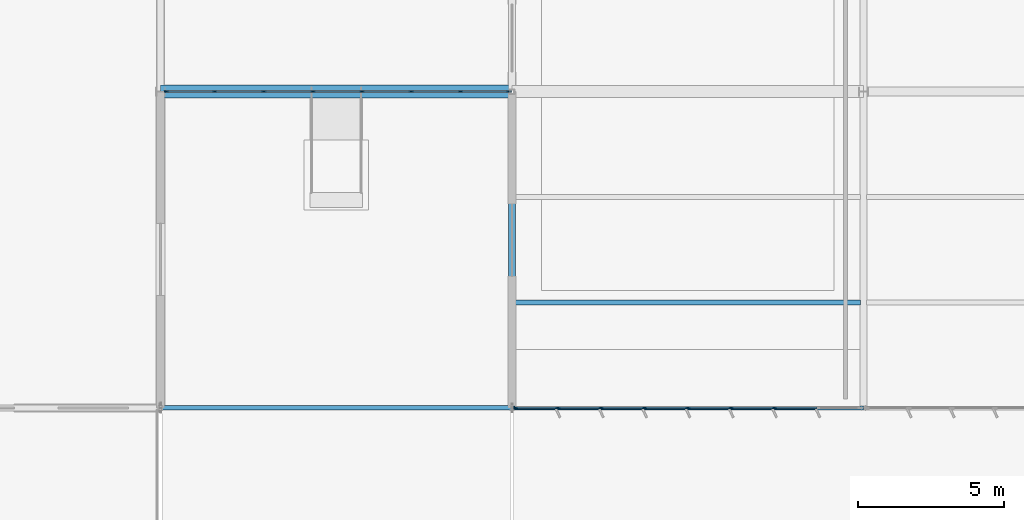
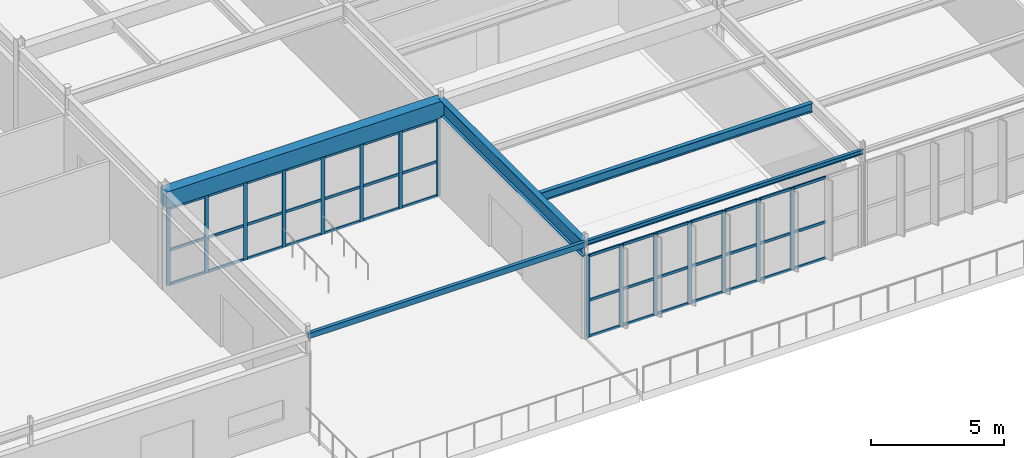
# One storey, part 88 of 199: 57 members, 5 beams, 2 elements without a shape of their own.
"""IFC4 building model written with IfcOpenShell, lengths in metres."""

import ifcopenshell
import ifcopenshell.guid

model = None  # the IFC model being written
_history = None  # IfcOwnerHistory: only IFC2X3 demands one
_inside = {}  # id of a spatial element -> (the spatial element, [elements in it])
_under = {}  # id of a project, library or spatial element -> (it, [spatial elements below it])
_declared = {}  # id of a project -> (the project, [libraries it declares])
_typed = {}  # id of a type object -> (the type object, [elements of that type])
_made_of = {}  # id of a material, layer set ... -> (it, [elements and type objects made of it])


def new_model(schema):
    """Start an empty IFC model of exactly this schema.

    Asked for "IFC4X3", IfcOpenShell would pick the latest addendum, in which some entities
    have other attributes; the version numbers below select the first issue.
    IFC2X3 requires an IfcOwnerHistory on every rooted entity: one is made here for all.
    """
    global model, _history
    if schema == "IFC4X3":
        model = ifcopenshell.file(schema_version=(4, 3, 0, 0))
    else:
        model = ifcopenshell.file(schema=schema)
    _inside.clear()
    _under.clear()
    _declared.clear()
    _typed.clear()
    _made_of.clear()
    _history = None
    if model.schema == "IFC2X3":
        org = make("IfcOrganization", Name="unknown")
        user = make(
            "IfcPersonAndOrganization",
            ThePerson=make("IfcPerson", FamilyName="unknown"),
            TheOrganization=org,
        )
        app = make(
            "IfcApplication",
            ApplicationDeveloper=org,
            Version="unknown",
            ApplicationFullName="unknown",
            ApplicationIdentifier="unknown",
        )
        _history = make(
            "IfcOwnerHistory",
            OwningUser=user,
            OwningApplication=app,
            ChangeAction="ADDED",
            CreationDate=0,
        )
    return model


def make(cls, **values):
    """One entity of the class cls with the attributes given. An attribute that is None is left unset."""
    return model.create_entity(
        cls, **{name: value for name, value in values.items() if value is not None}
    )


def rooted(cls, **values):
    """An entity with a GlobalId (a new one), such as an element, a storey or a relation."""
    return make(cls, GlobalId=ifcopenshell.guid.new(), OwnerHistory=_history, **values)


def si_unit(unit_type, name, prefix=None):
    """IfcSIUnit, for example si_unit("LENGTHUNIT", "METRE", prefix="MILLI")."""
    return make("IfcSIUnit", UnitType=unit_type, Prefix=prefix, Name=name)


def assignment(units):
    """IfcUnitAssignment: the units of a project."""
    return None if units is None else make("IfcUnitAssignment", Units=units)


def point(xyz):
    """IfcCartesianPoint."""
    return None if xyz is None else make("IfcCartesianPoint", Coordinates=xyz)


def direction(xyz):
    """IfcDirection."""
    return None if xyz is None else make("IfcDirection", DirectionRatios=xyz)


def frame(location, z_axis=None, x_axis=None):
    """IfcAxis2Placement3D, a coordinate frame: its origin and axes. An axis left out is left unset."""
    return make(
        "IfcAxis2Placement3D",
        Location=point(location),
        Axis=direction(z_axis),
        RefDirection=direction(x_axis),
    )


def frame_2d(location, x_axis=None):
    """IfcAxis2Placement2D, a coordinate frame in the plane: its origin and x axis."""
    return make(
        "IfcAxis2Placement2D", Location=point(location), RefDirection=direction(x_axis)
    )


def origin():
    """The frame at (0, 0, 0) with its axes left unset."""
    return frame((0.0, 0.0, 0.0))


def origin_2d():
    """The frame at (0, 0) in the plane with its x axis left unset."""
    return frame_2d((0.0, 0.0))


def place(relative_to, where):
    """IfcLocalPlacement: puts the frame where relative to a parent placement (None: the world)."""
    return make(
        "IfcLocalPlacement", PlacementRelTo=relative_to, RelativePlacement=where
    )


def context(
    kind, dimensions, precision=None, world=None, true_north=None, identifier=None
):
    """IfcGeometricRepresentationContext, for example the 3D "Model" context."""
    return make(
        "IfcGeometricRepresentationContext",
        ContextIdentifier=identifier,
        ContextType=kind,
        CoordinateSpaceDimension=dimensions,
        Precision=precision,
        WorldCoordinateSystem=world,
        TrueNorth=true_north,
    )


def subcontext(parent, identifier, kind, view, scale=None):
    """IfcGeometricRepresentationSubContext, for example "Body" below "Model"."""
    return make(
        "IfcGeometricRepresentationSubContext",
        ContextIdentifier=identifier,
        ContextType=kind,
        ParentContext=parent,
        TargetScale=scale,
        TargetView=view,
    )


def project(units=None, contexts=None):
    """IfcProject with its units and contexts."""
    return rooted(
        "IfcProject",
        Name="project",
        RepresentationContexts=contexts,
        UnitsInContext=assignment(units),
    )


def spatial(cls, under=None, at=None, **own):
    """A site, building, storey or space (cls), placed at a placement, below another one or the project."""
    s = rooted(cls, ObjectPlacement=at, **own)
    if under is not None:
        _under.setdefault(under.id(), (under, []))[1].append(s)
    return s


def profile(cls, at=None, kind="AREA", **sizes):
    """A parametric profile (cls). Its sizes go by their IFC names, for example OverallWidth=200.0."""
    return make(cls, ProfileType=kind, Position=at, **sizes)


def rectangle(**sizes):
    """IfcRectangleProfileDef."""
    return profile("IfcRectangleProfileDef", **sizes)


def hollow_rectangle(**sizes):
    """IfcRectangleHollowProfileDef."""
    return profile("IfcRectangleHollowProfileDef", **sizes)


def i_section(**sizes):
    """IfcIShapeProfileDef."""
    return profile("IfcIShapeProfileDef", **sizes)


def extrude(swept, where, along, depth):
    """IfcExtrudedAreaSolid: the profile swept, set in the frame where, extruded along a direction by depth."""
    return make(
        "IfcExtrudedAreaSolid",
        SweptArea=swept,
        Position=where,
        ExtrudedDirection=direction(along),
        Depth=depth,
    )


def shape(context_of_items, identifier, shape_type, items):
    """IfcShapeRepresentation: the items that make up one representation, for example the "Body"."""
    return make(
        "IfcShapeRepresentation",
        ContextOfItems=context_of_items,
        RepresentationIdentifier=identifier,
        RepresentationType=shape_type,
        Items=items,
    )


def material(Name=None, Category=None):
    """IfcMaterial."""
    return make("IfcMaterial", Name=Name, Category=Category)


def layer(
    of_material, thickness, ventilated=None, Name=None, Category=None, Priority=None
):
    """IfcMaterialLayer: one layer of a wall or slab, of a material (None: an air gap)."""
    return make(
        "IfcMaterialLayer",
        Material=of_material,
        LayerThickness=thickness,
        IsVentilated=ventilated,
        Name=Name,
        Category=Category,
        Priority=Priority,
    )


def layer_set(layers, Name=None):
    """IfcMaterialLayerSet."""
    return make("IfcMaterialLayerSet", MaterialLayers=layers, LayerSetName=Name)


def material_profile(
    of_material, cross_section, Name=None, Category=None, Priority=None
):
    """IfcMaterialProfile: a cross section and its material."""
    return make(
        "IfcMaterialProfile",
        Name=Name,
        Material=of_material,
        Profile=cross_section,
        Priority=Priority,
        Category=Category,
    )


def profile_set(profiles, Name=None, composite=None):
    """IfcMaterialProfileSet."""
    return make(
        "IfcMaterialProfileSet",
        Name=Name,
        MaterialProfiles=profiles,
        CompositeProfile=composite,
    )


def made_of(thing, what):
    """Note that an element or type object is made of a material, layer set ...; save() writes the relation."""
    if what is not None:
        _made_of.setdefault(what.id(), (what, []))[1].append(thing)
    return thing


def type_object(cls, material=None, **own):
    """A type object (cls), such as IfcWallType, which elements share."""
    return made_of(rooted(cls, **own), material)


def element(
    cls,
    number,
    at=None,
    inside=None,
    cuts=None,
    type_object=None,
    material=None,
    context=None,
    identifier="Body",
    shape_type=None,
    held_by="IfcProductDefinitionShape",
    body=None,
    shapes=None,
    **own,
):
    """One element of the class cls, such as IfcWall. Its Tag is "e" and its number.

    at: its placement. inside: the storey or other place that contains it. cuts: it is an
    opening in that element (IfcRelVoidsElement). A single representation is given by context,
    identifier, shape_type and body (its items); several are given by shapes. held_by: the class
    of the entity that holds the representations. save() writes the other relations.
    """
    e = rooted(cls, Tag="e%d" % number, ObjectPlacement=at, **own)
    if body is not None:
        shapes = [shape(context, identifier, shape_type, body)]
    if shapes is not None:
        e.Representation = make(held_by, Representations=shapes)
    if inside is not None:
        _inside.setdefault(inside.id(), (inside, []))[1].append(e)
    if cuts is not None:
        rooted(
            "IfcRelVoidsElement", RelatingBuildingElement=cuts, RelatedOpeningElement=e
        )
    if type_object is not None:
        _typed.setdefault(type_object.id(), (type_object, []))[1].append(e)
    return made_of(e, material)


def aggregate(whole, parts):
    """IfcRelAggregates: a whole, such as a stair, and the parts it consists of."""
    return rooted("IfcRelAggregates", RelatingObject=whole, RelatedObjects=parts)


def save(model, path):
    """Write the relations noted so far, then the file.

    IfcRelAggregates (storeys below a building ...), IfcRelContainedInSpatialStructure (elements
    in a storey), IfcRelDefinesByType, IfcRelAssociatesMaterial and IfcRelDeclares: one each for
    every whole, place, type object, material and project.
    """
    for whole, parts in _under.values():
        aggregate(whole, parts)
    for where, things in _inside.values():
        rooted(
            "IfcRelContainedInSpatialStructure",
            RelatedElements=things,
            RelatingStructure=where,
        )
    for kind, things in _typed.values():
        rooted("IfcRelDefinesByType", RelatedObjects=things, RelatingType=kind)
    for what, things in _made_of.values():
        rooted("IfcRelAssociatesMaterial", RelatedObjects=things, RelatingMaterial=what)
    for by, libraries in _declared.values():
        rooted("IfcRelDeclares", RelatingContext=by, RelatedDefinitions=libraries)
    model.write(path)


model = new_model("IFC4")

# Units and contexts
model_context = context("Model", 3, precision=1e-05, world=origin(), true_north=direction((0.0, 1.0)))
body_context = subcontext(model_context, "Body", "Model", "MODEL_VIEW")
ifc_project = project(units=[si_unit("LENGTHUNIT", "METRE"), si_unit("AREAUNIT", "SQUARE_METRE"), si_unit("VOLUMEUNIT", "CUBIC_METRE"), si_unit("PLANEANGLEUNIT", "RADIAN"), si_unit("MASSUNIT", "GRAM", prefix="KILO")], contexts=[model_context])

# Site, building, storey
site_placement = place(None, origin())
site = spatial("IfcSite", under=ifc_project, at=site_placement, CompositionType="ELEMENT")
building_placement = place(site_placement, origin())
building = spatial("IfcBuilding", under=site, at=building_placement, Name="Tarnwether General Hospital", CompositionType="ELEMENT")
storey_placement = place(building_placement, origin())
storey = spatial("IfcBuildingStorey", under=building, at=storey_placement, Name="L00", CompositionType="ELEMENT", Elevation=0.0)

# Beams
ifc_material_1 = material(Name="Steel Grade 350 (350 MPa)", Category="steel")
ifc_material_profile_1 = material_profile(ifc_material_1, i_section(OverallWidth=0.25, OverallDepth=0.69189453125, WebThickness=0.009033203125, FlangeThickness=0.01611328125, at=origin_2d()), Name="700WB115")
ifc_profile_set_1 = profile_set([ifc_material_profile_1], Name="Steel Grade 350 (350 MPa)")
beam_type_1 = type_object("IfcBeamType", Name="BM-G02", PredefinedType="BEAM", material=ifc_profile_set_1)
beam_1_placement = place(storey_placement, frame((144.0, 0.0, 4.09912109375), z_axis=(0.0, 1.0, 0.0), x_axis=(-1.0, 0.0, 0.0)))
element("IfcBeam", 1, at=beam_1_placement, inside=storey, type_object=beam_type_1, Name="Primary Girder BMG-L00-14400_0-14400_1080-0785", PredefinedType="BEAM", context=body_context, shape_type="SweptSolid", body=[
    extrude(i_section(OverallWidth=0.25, OverallDepth=0.69189453125, WebThickness=0.009033203125, FlangeThickness=0.01611328125, at=origin_2d()), origin(), (0.0, 0.0, 1.0), 10.800048828125),
])
ifc_material_2 = material(Name="Concrete 40 MPa", Category="concrete")
ifc_material_profile_2 = material_profile(ifc_material_2, rectangle(XDim=0.449951171875, YDim=0.75, at=origin_2d()), Name="RC-BM-450x750")
ifc_profile_set_2 = profile_set([ifc_material_profile_2], Name="Concrete 40 MPa")
beam_type_2 = type_object("IfcBeamType", Name="BM-G13", PredefinedType="BEAM", material=ifc_profile_set_2)
beam_2_placement = place(storey_placement, frame((132.0, 10.800048828125, 4.070068359375), z_axis=(1.0, 0.0, 0.0), x_axis=(0.0, 1.0, 0.0)))
element("IfcBeam", 2, at=beam_2_placement, inside=storey, type_object=beam_type_2, Name="Primary Girder BMG-L00-13200_1080-14400_1080-0768", PredefinedType="BEAM", context=body_context, shape_type="SweptSolid", body=[
    extrude(rectangle(XDim=0.449951171875, YDim=0.75, at=origin_2d()), origin(), (0.0, 0.0, 1.0), 12.0),
])
ifc_material_3 = material(Name="Steel Grade 350 (350 MPa)", Category="steel")
ifc_material_profile_3 = material_profile(ifc_material_3, i_section(OverallWidth=0.177978515625, OverallDepth=0.403076171875, WebThickness=0.007568359375, FlangeThickness=0.010986328125, at=origin_2d()), Name="410UB53.7")
ifc_profile_set_3 = profile_set([ifc_material_profile_3], Name="Steel Grade 350 (350 MPa)")
beam_type_3 = type_object("IfcBeamType", Name="BM-J02", PredefinedType="JOIST", material=ifc_profile_set_3)
beam_3_placement = place(storey_placement, frame((144.118896484375, 3.60009765625, 4.243408203125), z_axis=(1.0, 0.0, 0.0), x_axis=(0.0, 1.0, 0.0)))
element("IfcBeam", 3, at=beam_3_placement, inside=storey, type_object=beam_type_3, Name="Composite Floor Joist BMG-L00-14412_360-15589_360-0997", PredefinedType="JOIST", context=body_context, shape_type="SweptSolid", body=[
    extrude(i_section(OverallWidth=0.177978515625, OverallDepth=0.403076171875, WebThickness=0.007568359375, FlangeThickness=0.010986328125, at=origin_2d()), origin(), (0.0, 0.0, 1.0), 11.773193359375),
])
ifc_material_4 = material(Name="Steel Grade C350L0 (350 MPa)", Category="steel")
ifc_material_profile_4 = material_profile(ifc_material_4, hollow_rectangle(XDim=0.14990234375, YDim=0.25, WallThickness=0.010009765625, at=origin_2d()), Name="RHS250x150x10")
ifc_profile_set_4 = profile_set([ifc_material_profile_4], Name="Steel Grade C350L0 (350 MPa)")
beam_type_4 = type_object("IfcBeamType", Name="BM-SP4", PredefinedType="SPANDREL", material=ifc_profile_set_4)
beam_4_placement = place(storey_placement, frame((132.0, 0.0, 4.320068359375), z_axis=(1.0, 0.0, 0.0), x_axis=(0.0, 1.0, 0.0)))
element("IfcBeam", 4, at=beam_4_placement, inside=storey, type_object=beam_type_4, Name="Primary Girder BMG-L00-13200_0-14400_0-0766", PredefinedType="SPANDREL", context=body_context, shape_type="SweptSolid", body=[
    extrude(hollow_rectangle(XDim=0.14990234375, YDim=0.25, WallThickness=0.010009765625, at=origin_2d()), origin(), (0.0, 0.0, 1.0), 12.0),
])
ifc_material_5 = material(Name="Steel Grade 350 (350 MPa)", Category="steel")
ifc_material_profile_5 = material_profile(ifc_material_5, i_section(OverallWidth=0.133056640625, OverallDepth=0.202880859375, WebThickness=0.005859375, FlangeThickness=0.0078125, at=origin_2d()), Name="200UB25.4")
ifc_profile_set_5 = profile_set([ifc_material_profile_5], Name="Steel Grade 350 (350 MPa)")
beam_type_5 = type_object("IfcBeamType", Name="BM-SP5", PredefinedType="SPANDREL", material=ifc_profile_set_5)
beam_5_placement = place(storey_placement, frame((144.0, 0.0, 4.343505859375), z_axis=(1.0, 0.0, 0.0), x_axis=(0.0, 1.0, 0.0)))
element("IfcBeam", 5, at=beam_5_placement, inside=storey, type_object=beam_type_5, Name="Primary Girder BMG-L00-14400_0-15600_0-0784", PredefinedType="SPANDREL", context=body_context, shape_type="SweptSolid", body=[
    extrude(i_section(OverallWidth=0.133056640625, OverallDepth=0.202880859375, WebThickness=0.005859375, FlangeThickness=0.0078125, at=origin_2d()), origin(), (0.0, 0.0, 1.0), 12.0),
])

# Curtain wall, members
ifc_material_6 = material(Name="Anodised aluminium", Category="aluminium")
ifc_layer_1 = layer(ifc_material_6, 0.159912109375)
ifc_layer_set_1 = layer_set([ifc_layer_1], Name="Anodised aluminium")
curtain_wall_type_1 = type_object("IfcCurtainWallType", Name="CW-18", PredefinedType="NOTDEFINED", material=ifc_layer_set_1)
curtain_wall_1_placement = place(storey_placement, origin())
curtain_wall_1 = element("IfcCurtainWall", 6, at=curtain_wall_1_placement, inside=storey, type_object=curtain_wall_type_1, Name="Curtain Wall CWG-L00-1559_0-0285", PredefinedType="NOTDEFINED")
ifc_material_7 = material(Name="Anodised aluminium", Category="aluminium")
ifc_material_profile_6 = material_profile(ifc_material_7, rectangle(XDim=0.06005859375, YDim=0.159912109375, at=origin_2d()), Name="ALU-MUL-60x160")
ifc_profile_set_6 = profile_set([ifc_material_profile_6], Name="Anodised aluminium")
member_type_1 = type_object("IfcMemberType", Name="CW-ML1", PredefinedType="MULLION", material=ifc_profile_set_6)
member_1_placement = place(storey_placement, frame((152.9580078125, 0.0, 0.0), z_axis=(0.0, 0.0, 1.0), x_axis=(0.0, -1.0, 0.0)))
member_1 = element("IfcMember", 7, at=member_1_placement, type_object=member_type_1, Name="CW-18 mullion 3", PredefinedType="MULLION", context=body_context, shape_type="SweptSolid", body=[
    extrude(rectangle(XDim=0.06005859375, YDim=0.159912109375, at=origin_2d()), origin(), (0.0, 0.0, 1.0), 3.738037109375),
])
member_2_placement = place(storey_placement, frame((151.47900390625, 0.0, 0.0), z_axis=(0.0, 0.0, 1.0), x_axis=(0.0, -1.0, 0.0)))
member_2 = element("IfcMember", 8, at=member_2_placement, type_object=member_type_1, Name="CW-18 mullion 4", PredefinedType="MULLION", context=body_context, shape_type="SweptSolid", body=[
    extrude(rectangle(XDim=0.06005859375, YDim=0.159912109375, at=origin_2d()), origin(), (0.0, 0.0, 1.0), 3.738037109375),
])
member_3_placement = place(storey_placement, frame((150.0, 0.0, 0.0), z_axis=(0.0, 0.0, 1.0), x_axis=(0.0, -1.0, 0.0)))
member_3 = element("IfcMember", 9, at=member_3_placement, type_object=member_type_1, Name="CW-18 mullion 5", PredefinedType="MULLION", context=body_context, shape_type="SweptSolid", body=[
    extrude(rectangle(XDim=0.06005859375, YDim=0.159912109375, at=origin_2d()), origin(), (0.0, 0.0, 1.0), 3.738037109375),
])
member_4_placement = place(storey_placement, frame((148.52099609375, 0.0, 0.0), z_axis=(0.0, 0.0, 1.0), x_axis=(0.0, -1.0, 0.0)))
member_4 = element("IfcMember", 10, at=member_4_placement, type_object=member_type_1, Name="CW-18 mullion 6", PredefinedType="MULLION", context=body_context, shape_type="SweptSolid", body=[
    extrude(rectangle(XDim=0.06005859375, YDim=0.159912109375, at=origin_2d()), origin(), (0.0, 0.0, 1.0), 3.738037109375),
])
member_5_placement = place(storey_placement, frame((147.0419921875, 0.0, 0.0), z_axis=(0.0, 0.0, 1.0), x_axis=(0.0, -1.0, 0.0)))
member_5 = element("IfcMember", 11, at=member_5_placement, type_object=member_type_1, Name="CW-18 mullion 7", PredefinedType="MULLION", context=body_context, shape_type="SweptSolid", body=[
    extrude(rectangle(XDim=0.06005859375, YDim=0.159912109375, at=origin_2d()), origin(), (0.0, 0.0, 1.0), 3.738037109375),
])
member_6_placement = place(storey_placement, frame((145.56298828125, 0.0, 0.0), z_axis=(0.0, 0.0, 1.0), x_axis=(0.0, -1.0, 0.0)))
member_6 = element("IfcMember", 12, at=member_6_placement, type_object=member_type_1, Name="CW-18 mullion 8", PredefinedType="MULLION", context=body_context, shape_type="SweptSolid", body=[
    extrude(rectangle(XDim=0.06005859375, YDim=0.159912109375, at=origin_2d()), origin(), (0.0, 0.0, 1.0), 3.738037109375),
])
member_7_placement = place(storey_placement, frame((144.114013671875, 0.0, 0.0), z_axis=(0.0, 0.0, 1.0), x_axis=(0.0, -1.0, 0.0)))
member_7 = element("IfcMember", 13, at=member_7_placement, type_object=member_type_1, Name="CW-18 mullion 9", PredefinedType="MULLION", context=body_context, shape_type="SweptSolid", body=[
    extrude(rectangle(XDim=0.06005859375, YDim=0.159912109375, at=origin_2d()), origin(), (0.0, 0.0, 1.0), 3.738037109375),
])

ifc_material_8 = material(Name="Anodised aluminium", Category="aluminium")
ifc_layer_2 = layer(ifc_material_8, 0.159912109375)
ifc_layer_set_2 = layer_set([ifc_layer_2], Name="Anodised aluminium")
curtain_wall_type_2 = type_object("IfcCurtainWallType", Name="CW-10", PredefinedType="NOTDEFINED", material=ifc_layer_set_2)
curtain_wall_2_placement = place(storey_placement, origin())
curtain_wall_2 = element("IfcCurtainWall", 14, at=curtain_wall_2_placement, inside=storey, type_object=curtain_wall_type_2, Name="Curtain Wall CWG-L00-1439_108-0314", PredefinedType="NOTDEFINED")
member_8_placement = place(storey_placement, frame((143.886962890625, 10.800048828125, 0.0), z_axis=(0.0, 0.0, 1.0), x_axis=(0.0, -1.0, 0.0)))
member_8 = element("IfcMember", 15, at=member_8_placement, type_object=member_type_1, Name="CW-10 mullion 1", PredefinedType="MULLION", context=body_context, shape_type="SweptSolid", body=[
    extrude(rectangle(XDim=0.06005859375, YDim=0.159912109375, at=origin_2d()), origin(), (0.0, 0.0, 1.0), 3.530029296875),
])
member_9_placement = place(storey_placement, frame((142.238525390625, 10.800048828125, 0.0), z_axis=(0.0, 0.0, 1.0), x_axis=(0.0, -1.0, 0.0)))
member_9 = element("IfcMember", 16, at=member_9_placement, type_object=member_type_1, Name="CW-10 mullion 2", PredefinedType="MULLION", context=body_context, shape_type="SweptSolid", body=[
    extrude(rectangle(XDim=0.06005859375, YDim=0.159912109375, at=origin_2d()), origin(), (0.0, 0.0, 1.0), 3.530029296875),
])
member_10_placement = place(storey_placement, frame((140.56005859375, 10.800048828125, 0.0), z_axis=(0.0, 0.0, 1.0), x_axis=(0.0, -1.0, 0.0)))
member_10 = element("IfcMember", 17, at=member_10_placement, type_object=member_type_1, Name="CW-10 mullion 3", PredefinedType="MULLION", context=body_context, shape_type="SweptSolid", body=[
    extrude(rectangle(XDim=0.06005859375, YDim=0.159912109375, at=origin_2d()), origin(), (0.0, 0.0, 1.0), 3.530029296875),
])
member_11_placement = place(storey_placement, frame((138.8818359375, 10.800048828125, 0.0), z_axis=(0.0, 0.0, 1.0), x_axis=(0.0, -1.0, 0.0)))
member_11 = element("IfcMember", 18, at=member_11_placement, type_object=member_type_1, Name="CW-10 mullion 4", PredefinedType="MULLION", context=body_context, shape_type="SweptSolid", body=[
    extrude(rectangle(XDim=0.06005859375, YDim=0.159912109375, at=origin_2d()), origin(), (0.0, 0.0, 1.0), 3.530029296875),
])
member_12_placement = place(storey_placement, frame((137.203369140625, 10.800048828125, 0.0), z_axis=(0.0, 0.0, 1.0), x_axis=(0.0, -1.0, 0.0)))
member_12 = element("IfcMember", 19, at=member_12_placement, type_object=member_type_1, Name="CW-10 mullion 5", PredefinedType="MULLION", context=body_context, shape_type="SweptSolid", body=[
    extrude(rectangle(XDim=0.06005859375, YDim=0.159912109375, at=origin_2d()), origin(), (0.0, 0.0, 1.0), 3.530029296875),
])
member_13_placement = place(storey_placement, frame((135.52490234375, 10.800048828125, 0.0), z_axis=(0.0, 0.0, 1.0), x_axis=(0.0, -1.0, 0.0)))
member_13 = element("IfcMember", 20, at=member_13_placement, type_object=member_type_1, Name="CW-10 mullion 6", PredefinedType="MULLION", context=body_context, shape_type="SweptSolid", body=[
    extrude(rectangle(XDim=0.06005859375, YDim=0.159912109375, at=origin_2d()), origin(), (0.0, 0.0, 1.0), 3.530029296875),
])
member_14_placement = place(storey_placement, frame((133.846435546875, 10.800048828125, 0.0), z_axis=(0.0, 0.0, 1.0), x_axis=(0.0, -1.0, 0.0)))
member_14 = element("IfcMember", 21, at=member_14_placement, type_object=member_type_1, Name="CW-10 mullion 7", PredefinedType="MULLION", context=body_context, shape_type="SweptSolid", body=[
    extrude(rectangle(XDim=0.06005859375, YDim=0.159912109375, at=origin_2d()), origin(), (0.0, 0.0, 1.0), 3.530029296875),
])
member_15_placement = place(storey_placement, frame((132.197998046875, 10.800048828125, 0.0), z_axis=(0.0, 0.0, 1.0), x_axis=(0.0, -1.0, 0.0)))
member_15 = element("IfcMember", 22, at=member_15_placement, type_object=member_type_1, Name="CW-10 mullion 8", PredefinedType="MULLION", context=body_context, shape_type="SweptSolid", body=[
    extrude(rectangle(XDim=0.06005859375, YDim=0.159912109375, at=origin_2d()), origin(), (0.0, 0.0, 1.0), 3.530029296875),
])

# Member
ifc_material_9 = material(Name="Anodised aluminium", Category="aluminium")
ifc_material_profile_7 = material_profile(ifc_material_9, rectangle(XDim=0.06005859375, YDim=0.1201171875, at=origin_2d()), Name="ALU-TRN-60x120")
ifc_profile_set_7 = profile_set([ifc_material_profile_7], Name="Anodised aluminium")
member_type_2 = type_object("IfcMemberType", Name="CW-TR1", PredefinedType="USERDEFINED", material=ifc_profile_set_7)
member_16_placement = place(storey_placement, frame((154.406982421875, 0.0, 0.030029296875), z_axis=(-1.0, 0.0, 0.0), x_axis=(0.0, -1.0, 0.0)))
member_16 = element("IfcMember", 23, at=member_16_placement, type_object=member_type_2, Name="CW-18 transom 2.1", ObjectType="TRANSOM", PredefinedType="USERDEFINED", context=body_context, shape_type="SweptSolid", body=[
    extrude(rectangle(XDim=0.06005859375, YDim=0.1201171875, at=origin_2d()), origin(), (0.0, 0.0, 1.0), 1.4189453125),
])

member_17_placement = place(storey_placement, frame((154.406982421875, 0.0, 1.68212890625), z_axis=(-1.0, 0.0, 0.0), x_axis=(0.0, -1.0, 0.0)))
member_17 = element("IfcMember", 24, at=member_17_placement, type_object=member_type_2, Name="CW-18 transom 2.2", ObjectType="TRANSOM", PredefinedType="USERDEFINED", context=body_context, shape_type="SweptSolid", body=[
    extrude(rectangle(XDim=0.06005859375, YDim=0.1201171875, at=origin_2d()), origin(), (0.0, 0.0, 1.0), 1.4189453125),
])

member_18_placement = place(storey_placement, frame((154.406982421875, 0.0, 3.7080078125), z_axis=(-1.0, 0.0, 0.0), x_axis=(0.0, -1.0, 0.0)))
member_18 = element("IfcMember", 25, at=member_18_placement, type_object=member_type_2, Name="CW-18 transom 2.3", ObjectType="TRANSOM", PredefinedType="USERDEFINED", context=body_context, shape_type="SweptSolid", body=[
    extrude(rectangle(XDim=0.06005859375, YDim=0.1201171875, at=origin_2d()), origin(), (0.0, 0.0, 1.0), 1.4189453125),
])

member_19_placement = place(storey_placement, frame((152.927978515625, 0.0, 0.030029296875), z_axis=(-1.0, 0.0, 0.0), x_axis=(0.0, -1.0, 0.0)))
member_19 = element("IfcMember", 26, at=member_19_placement, type_object=member_type_2, Name="CW-18 transom 3.1", ObjectType="TRANSOM", PredefinedType="USERDEFINED", context=body_context, shape_type="SweptSolid", body=[
    extrude(rectangle(XDim=0.06005859375, YDim=0.1201171875, at=origin_2d()), origin(), (0.0, 0.0, 1.0), 1.4189453125),
])

member_20_placement = place(storey_placement, frame((152.927978515625, 0.0, 1.68212890625), z_axis=(-1.0, 0.0, 0.0), x_axis=(0.0, -1.0, 0.0)))
member_20 = element("IfcMember", 27, at=member_20_placement, type_object=member_type_2, Name="CW-18 transom 3.2", ObjectType="TRANSOM", PredefinedType="USERDEFINED", context=body_context, shape_type="SweptSolid", body=[
    extrude(rectangle(XDim=0.06005859375, YDim=0.1201171875, at=origin_2d()), origin(), (0.0, 0.0, 1.0), 1.4189453125),
])

member_21_placement = place(storey_placement, frame((152.927978515625, 0.0, 3.7080078125), z_axis=(-1.0, 0.0, 0.0), x_axis=(0.0, -1.0, 0.0)))
member_21 = element("IfcMember", 28, at=member_21_placement, type_object=member_type_2, Name="CW-18 transom 3.3", ObjectType="TRANSOM", PredefinedType="USERDEFINED", context=body_context, shape_type="SweptSolid", body=[
    extrude(rectangle(XDim=0.06005859375, YDim=0.1201171875, at=origin_2d()), origin(), (0.0, 0.0, 1.0), 1.4189453125),
])

member_22_placement = place(storey_placement, frame((151.448974609375, 0.0, 0.030029296875), z_axis=(-1.0, 0.0, 0.0), x_axis=(0.0, -1.0, 0.0)))
member_22 = element("IfcMember", 29, at=member_22_placement, type_object=member_type_2, Name="CW-18 transom 4.1", ObjectType="TRANSOM", PredefinedType="USERDEFINED", context=body_context, shape_type="SweptSolid", body=[
    extrude(rectangle(XDim=0.06005859375, YDim=0.1201171875, at=origin_2d()), origin(), (0.0, 0.0, 1.0), 1.4189453125),
])

member_23_placement = place(storey_placement, frame((151.448974609375, 0.0, 1.68212890625), z_axis=(-1.0, 0.0, 0.0), x_axis=(0.0, -1.0, 0.0)))
member_23 = element("IfcMember", 30, at=member_23_placement, type_object=member_type_2, Name="CW-18 transom 4.2", ObjectType="TRANSOM", PredefinedType="USERDEFINED", context=body_context, shape_type="SweptSolid", body=[
    extrude(rectangle(XDim=0.06005859375, YDim=0.1201171875, at=origin_2d()), origin(), (0.0, 0.0, 1.0), 1.4189453125),
])

member_24_placement = place(storey_placement, frame((151.448974609375, 0.0, 3.7080078125), z_axis=(-1.0, 0.0, 0.0), x_axis=(0.0, -1.0, 0.0)))
member_24 = element("IfcMember", 31, at=member_24_placement, type_object=member_type_2, Name="CW-18 transom 4.3", ObjectType="TRANSOM", PredefinedType="USERDEFINED", context=body_context, shape_type="SweptSolid", body=[
    extrude(rectangle(XDim=0.06005859375, YDim=0.1201171875, at=origin_2d()), origin(), (0.0, 0.0, 1.0), 1.4189453125),
])

member_25_placement = place(storey_placement, frame((149.969970703125, 0.0, 0.030029296875), z_axis=(-1.0, 0.0, 0.0), x_axis=(0.0, -1.0, 0.0)))
member_25 = element("IfcMember", 32, at=member_25_placement, type_object=member_type_2, Name="CW-18 transom 5.1", ObjectType="TRANSOM", PredefinedType="USERDEFINED", context=body_context, shape_type="SweptSolid", body=[
    extrude(rectangle(XDim=0.06005859375, YDim=0.1201171875, at=origin_2d()), origin(), (0.0, 0.0, 1.0), 1.4189453125),
])

member_26_placement = place(storey_placement, frame((149.969970703125, 0.0, 1.68212890625), z_axis=(-1.0, 0.0, 0.0), x_axis=(0.0, -1.0, 0.0)))
member_26 = element("IfcMember", 33, at=member_26_placement, type_object=member_type_2, Name="CW-18 transom 5.2", ObjectType="TRANSOM", PredefinedType="USERDEFINED", context=body_context, shape_type="SweptSolid", body=[
    extrude(rectangle(XDim=0.06005859375, YDim=0.1201171875, at=origin_2d()), origin(), (0.0, 0.0, 1.0), 1.4189453125),
])

member_27_placement = place(storey_placement, frame((149.969970703125, 0.0, 3.7080078125), z_axis=(-1.0, 0.0, 0.0), x_axis=(0.0, -1.0, 0.0)))
member_27 = element("IfcMember", 34, at=member_27_placement, type_object=member_type_2, Name="CW-18 transom 5.3", ObjectType="TRANSOM", PredefinedType="USERDEFINED", context=body_context, shape_type="SweptSolid", body=[
    extrude(rectangle(XDim=0.06005859375, YDim=0.1201171875, at=origin_2d()), origin(), (0.0, 0.0, 1.0), 1.4189453125),
])

member_28_placement = place(storey_placement, frame((148.490966796875, 0.0, 0.030029296875), z_axis=(-1.0, 0.0, 0.0), x_axis=(0.0, -1.0, 0.0)))
member_28 = element("IfcMember", 35, at=member_28_placement, type_object=member_type_2, Name="CW-18 transom 6.1", ObjectType="TRANSOM", PredefinedType="USERDEFINED", context=body_context, shape_type="SweptSolid", body=[
    extrude(rectangle(XDim=0.06005859375, YDim=0.1201171875, at=origin_2d()), origin(), (0.0, 0.0, 1.0), 1.4189453125),
])

member_29_placement = place(storey_placement, frame((148.490966796875, 0.0, 1.68212890625), z_axis=(-1.0, 0.0, 0.0), x_axis=(0.0, -1.0, 0.0)))
member_29 = element("IfcMember", 36, at=member_29_placement, type_object=member_type_2, Name="CW-18 transom 6.2", ObjectType="TRANSOM", PredefinedType="USERDEFINED", context=body_context, shape_type="SweptSolid", body=[
    extrude(rectangle(XDim=0.06005859375, YDim=0.1201171875, at=origin_2d()), origin(), (0.0, 0.0, 1.0), 1.4189453125),
])

member_30_placement = place(storey_placement, frame((148.490966796875, 0.0, 3.7080078125), z_axis=(-1.0, 0.0, 0.0), x_axis=(0.0, -1.0, 0.0)))
member_30 = element("IfcMember", 37, at=member_30_placement, type_object=member_type_2, Name="CW-18 transom 6.3", ObjectType="TRANSOM", PredefinedType="USERDEFINED", context=body_context, shape_type="SweptSolid", body=[
    extrude(rectangle(XDim=0.06005859375, YDim=0.1201171875, at=origin_2d()), origin(), (0.0, 0.0, 1.0), 1.4189453125),
])

member_31_placement = place(storey_placement, frame((147.011962890625, 0.0, 0.030029296875), z_axis=(-1.0, 0.0, 0.0), x_axis=(0.0, -1.0, 0.0)))
member_31 = element("IfcMember", 38, at=member_31_placement, type_object=member_type_2, Name="CW-18 transom 7.1", ObjectType="TRANSOM", PredefinedType="USERDEFINED", context=body_context, shape_type="SweptSolid", body=[
    extrude(rectangle(XDim=0.06005859375, YDim=0.1201171875, at=origin_2d()), origin(), (0.0, 0.0, 1.0), 1.4189453125),
])

member_32_placement = place(storey_placement, frame((147.011962890625, 0.0, 1.68212890625), z_axis=(-1.0, 0.0, 0.0), x_axis=(0.0, -1.0, 0.0)))
member_32 = element("IfcMember", 39, at=member_32_placement, type_object=member_type_2, Name="CW-18 transom 7.2", ObjectType="TRANSOM", PredefinedType="USERDEFINED", context=body_context, shape_type="SweptSolid", body=[
    extrude(rectangle(XDim=0.06005859375, YDim=0.1201171875, at=origin_2d()), origin(), (0.0, 0.0, 1.0), 1.4189453125),
])

member_33_placement = place(storey_placement, frame((147.011962890625, 0.0, 3.7080078125), z_axis=(-1.0, 0.0, 0.0), x_axis=(0.0, -1.0, 0.0)))
member_33 = element("IfcMember", 40, at=member_33_placement, type_object=member_type_2, Name="CW-18 transom 7.3", ObjectType="TRANSOM", PredefinedType="USERDEFINED", context=body_context, shape_type="SweptSolid", body=[
    extrude(rectangle(XDim=0.06005859375, YDim=0.1201171875, at=origin_2d()), origin(), (0.0, 0.0, 1.0), 1.4189453125),
])

member_34_placement = place(storey_placement, frame((145.532958984375, 0.0, 0.030029296875), z_axis=(-1.0, 0.0, 0.0), x_axis=(0.0, -1.0, 0.0)))
member_34 = element("IfcMember", 41, at=member_34_placement, type_object=member_type_2, Name="CW-18 transom 8.1", ObjectType="TRANSOM", PredefinedType="USERDEFINED", context=body_context, shape_type="SweptSolid", body=[
    extrude(rectangle(XDim=0.06005859375, YDim=0.1201171875, at=origin_2d()), origin(), (0.0, 0.0, 1.0), 1.388916015625),
])

member_35_placement = place(storey_placement, frame((145.532958984375, 0.0, 1.68212890625), z_axis=(-1.0, 0.0, 0.0), x_axis=(0.0, -1.0, 0.0)))
member_35 = element("IfcMember", 42, at=member_35_placement, type_object=member_type_2, Name="CW-18 transom 8.2", ObjectType="TRANSOM", PredefinedType="USERDEFINED", context=body_context, shape_type="SweptSolid", body=[
    extrude(rectangle(XDim=0.06005859375, YDim=0.1201171875, at=origin_2d()), origin(), (0.0, 0.0, 1.0), 1.388916015625),
])

member_36_placement = place(storey_placement, frame((145.532958984375, 0.0, 3.7080078125), z_axis=(-1.0, 0.0, 0.0), x_axis=(0.0, -1.0, 0.0)))
member_36 = element("IfcMember", 43, at=member_36_placement, type_object=member_type_2, Name="CW-18 transom 8.3", ObjectType="TRANSOM", PredefinedType="USERDEFINED", context=body_context, shape_type="SweptSolid", body=[
    extrude(rectangle(XDim=0.06005859375, YDim=0.1201171875, at=origin_2d()), origin(), (0.0, 0.0, 1.0), 1.388916015625),
])

aggregate(curtain_wall_1, [member_1, member_2, member_3, member_4, member_5, member_6, member_7, member_16, member_17, member_18, member_19, member_20, member_21, member_22, member_23, member_24, member_25, member_26, member_27, member_28, member_29, member_30, member_31, member_32, member_33, member_34, member_35, member_36])

member_37_placement = place(storey_placement, frame((143.85693359375, 10.800048828125, 0.030029296875), z_axis=(-1.0, 0.0, 0.0), x_axis=(0.0, -1.0, 0.0)))
member_37 = element("IfcMember", 44, at=member_37_placement, type_object=member_type_2, Name="CW-10 transom 1.1", ObjectType="TRANSOM", PredefinedType="USERDEFINED", context=body_context, shape_type="SweptSolid", body=[
    extrude(rectangle(XDim=0.06005859375, YDim=0.1201171875, at=origin_2d()), origin(), (0.0, 0.0, 1.0), 1.58837890625),
])

member_38_placement = place(storey_placement, frame((143.85693359375, 10.800048828125, 1.58837890625), z_axis=(-1.0, 0.0, 0.0), x_axis=(0.0, -1.0, 0.0)))
member_38 = element("IfcMember", 45, at=member_38_placement, type_object=member_type_2, Name="CW-10 transom 1.2", ObjectType="TRANSOM", PredefinedType="USERDEFINED", context=body_context, shape_type="SweptSolid", body=[
    extrude(rectangle(XDim=0.06005859375, YDim=0.1201171875, at=origin_2d()), origin(), (0.0, 0.0, 1.0), 1.58837890625),
])

member_39_placement = place(storey_placement, frame((143.85693359375, 10.800048828125, 3.5), z_axis=(-1.0, 0.0, 0.0), x_axis=(0.0, -1.0, 0.0)))
member_39 = element("IfcMember", 46, at=member_39_placement, type_object=member_type_2, Name="CW-10 transom 1.3", ObjectType="TRANSOM", PredefinedType="USERDEFINED", context=body_context, shape_type="SweptSolid", body=[
    extrude(rectangle(XDim=0.06005859375, YDim=0.1201171875, at=origin_2d()), origin(), (0.0, 0.0, 1.0), 1.58837890625),
])

member_40_placement = place(storey_placement, frame((142.20849609375, 10.800048828125, 0.030029296875), z_axis=(-1.0, 0.0, 0.0), x_axis=(0.0, -1.0, 0.0)))
member_40 = element("IfcMember", 47, at=member_40_placement, type_object=member_type_2, Name="CW-10 transom 2.1", ObjectType="TRANSOM", PredefinedType="USERDEFINED", context=body_context, shape_type="SweptSolid", body=[
    extrude(rectangle(XDim=0.06005859375, YDim=0.1201171875, at=origin_2d()), origin(), (0.0, 0.0, 1.0), 1.618408203125),
])

member_41_placement = place(storey_placement, frame((142.20849609375, 10.800048828125, 1.58837890625), z_axis=(-1.0, 0.0, 0.0), x_axis=(0.0, -1.0, 0.0)))
member_41 = element("IfcMember", 48, at=member_41_placement, type_object=member_type_2, Name="CW-10 transom 2.2", ObjectType="TRANSOM", PredefinedType="USERDEFINED", context=body_context, shape_type="SweptSolid", body=[
    extrude(rectangle(XDim=0.06005859375, YDim=0.1201171875, at=origin_2d()), origin(), (0.0, 0.0, 1.0), 1.618408203125),
])

member_42_placement = place(storey_placement, frame((142.20849609375, 10.800048828125, 3.5), z_axis=(-1.0, 0.0, 0.0), x_axis=(0.0, -1.0, 0.0)))
member_42 = element("IfcMember", 49, at=member_42_placement, type_object=member_type_2, Name="CW-10 transom 2.3", ObjectType="TRANSOM", PredefinedType="USERDEFINED", context=body_context, shape_type="SweptSolid", body=[
    extrude(rectangle(XDim=0.06005859375, YDim=0.1201171875, at=origin_2d()), origin(), (0.0, 0.0, 1.0), 1.618408203125),
])

member_43_placement = place(storey_placement, frame((140.530029296875, 10.800048828125, 0.030029296875), z_axis=(-1.0, 0.0, 0.0), x_axis=(0.0, -1.0, 0.0)))
member_43 = element("IfcMember", 50, at=member_43_placement, type_object=member_type_2, Name="CW-10 transom 3.1", ObjectType="TRANSOM", PredefinedType="USERDEFINED", context=body_context, shape_type="SweptSolid", body=[
    extrude(rectangle(XDim=0.06005859375, YDim=0.1201171875, at=origin_2d()), origin(), (0.0, 0.0, 1.0), 1.618408203125),
])

member_44_placement = place(storey_placement, frame((140.530029296875, 10.800048828125, 1.58837890625), z_axis=(-1.0, 0.0, 0.0), x_axis=(0.0, -1.0, 0.0)))
member_44 = element("IfcMember", 51, at=member_44_placement, type_object=member_type_2, Name="CW-10 transom 3.2", ObjectType="TRANSOM", PredefinedType="USERDEFINED", context=body_context, shape_type="SweptSolid", body=[
    extrude(rectangle(XDim=0.06005859375, YDim=0.1201171875, at=origin_2d()), origin(), (0.0, 0.0, 1.0), 1.618408203125),
])

member_45_placement = place(storey_placement, frame((140.530029296875, 10.800048828125, 3.5), z_axis=(-1.0, 0.0, 0.0), x_axis=(0.0, -1.0, 0.0)))
member_45 = element("IfcMember", 52, at=member_45_placement, type_object=member_type_2, Name="CW-10 transom 3.3", ObjectType="TRANSOM", PredefinedType="USERDEFINED", context=body_context, shape_type="SweptSolid", body=[
    extrude(rectangle(XDim=0.06005859375, YDim=0.1201171875, at=origin_2d()), origin(), (0.0, 0.0, 1.0), 1.618408203125),
])

member_46_placement = place(storey_placement, frame((138.851806640625, 10.800048828125, 0.030029296875), z_axis=(-1.0, 0.0, 0.0), x_axis=(0.0, -1.0, 0.0)))
member_46 = element("IfcMember", 53, at=member_46_placement, type_object=member_type_2, Name="CW-10 transom 4.1", ObjectType="TRANSOM", PredefinedType="USERDEFINED", context=body_context, shape_type="SweptSolid", body=[
    extrude(rectangle(XDim=0.06005859375, YDim=0.1201171875, at=origin_2d()), origin(), (0.0, 0.0, 1.0), 1.618408203125),
])

member_47_placement = place(storey_placement, frame((138.851806640625, 10.800048828125, 1.58837890625), z_axis=(-1.0, 0.0, 0.0), x_axis=(0.0, -1.0, 0.0)))
member_47 = element("IfcMember", 54, at=member_47_placement, type_object=member_type_2, Name="CW-10 transom 4.2", ObjectType="TRANSOM", PredefinedType="USERDEFINED", context=body_context, shape_type="SweptSolid", body=[
    extrude(rectangle(XDim=0.06005859375, YDim=0.1201171875, at=origin_2d()), origin(), (0.0, 0.0, 1.0), 1.618408203125),
])

member_48_placement = place(storey_placement, frame((138.851806640625, 10.800048828125, 3.5), z_axis=(-1.0, 0.0, 0.0), x_axis=(0.0, -1.0, 0.0)))
member_48 = element("IfcMember", 55, at=member_48_placement, type_object=member_type_2, Name="CW-10 transom 4.3", ObjectType="TRANSOM", PredefinedType="USERDEFINED", context=body_context, shape_type="SweptSolid", body=[
    extrude(rectangle(XDim=0.06005859375, YDim=0.1201171875, at=origin_2d()), origin(), (0.0, 0.0, 1.0), 1.618408203125),
])

member_49_placement = place(storey_placement, frame((137.17333984375, 10.800048828125, 0.030029296875), z_axis=(-1.0, 0.0, 0.0), x_axis=(0.0, -1.0, 0.0)))
member_49 = element("IfcMember", 56, at=member_49_placement, type_object=member_type_2, Name="CW-10 transom 5.1", ObjectType="TRANSOM", PredefinedType="USERDEFINED", context=body_context, shape_type="SweptSolid", body=[
    extrude(rectangle(XDim=0.06005859375, YDim=0.1201171875, at=origin_2d()), origin(), (0.0, 0.0, 1.0), 1.618408203125),
])

member_50_placement = place(storey_placement, frame((137.17333984375, 10.800048828125, 1.58837890625), z_axis=(-1.0, 0.0, 0.0), x_axis=(0.0, -1.0, 0.0)))
member_50 = element("IfcMember", 57, at=member_50_placement, type_object=member_type_2, Name="CW-10 transom 5.2", ObjectType="TRANSOM", PredefinedType="USERDEFINED", context=body_context, shape_type="SweptSolid", body=[
    extrude(rectangle(XDim=0.06005859375, YDim=0.1201171875, at=origin_2d()), origin(), (0.0, 0.0, 1.0), 1.618408203125),
])

member_51_placement = place(storey_placement, frame((137.17333984375, 10.800048828125, 3.5), z_axis=(-1.0, 0.0, 0.0), x_axis=(0.0, -1.0, 0.0)))
member_51 = element("IfcMember", 58, at=member_51_placement, type_object=member_type_2, Name="CW-10 transom 5.3", ObjectType="TRANSOM", PredefinedType="USERDEFINED", context=body_context, shape_type="SweptSolid", body=[
    extrude(rectangle(XDim=0.06005859375, YDim=0.1201171875, at=origin_2d()), origin(), (0.0, 0.0, 1.0), 1.618408203125),
])

member_52_placement = place(storey_placement, frame((135.494873046875, 10.800048828125, 0.030029296875), z_axis=(-1.0, 0.0, 0.0), x_axis=(0.0, -1.0, 0.0)))
member_52 = element("IfcMember", 59, at=member_52_placement, type_object=member_type_2, Name="CW-10 transom 6.1", ObjectType="TRANSOM", PredefinedType="USERDEFINED", context=body_context, shape_type="SweptSolid", body=[
    extrude(rectangle(XDim=0.06005859375, YDim=0.1201171875, at=origin_2d()), origin(), (0.0, 0.0, 1.0), 1.618408203125),
])

member_53_placement = place(storey_placement, frame((135.494873046875, 10.800048828125, 1.58837890625), z_axis=(-1.0, 0.0, 0.0), x_axis=(0.0, -1.0, 0.0)))
member_53 = element("IfcMember", 60, at=member_53_placement, type_object=member_type_2, Name="CW-10 transom 6.2", ObjectType="TRANSOM", PredefinedType="USERDEFINED", context=body_context, shape_type="SweptSolid", body=[
    extrude(rectangle(XDim=0.06005859375, YDim=0.1201171875, at=origin_2d()), origin(), (0.0, 0.0, 1.0), 1.618408203125),
])

member_54_placement = place(storey_placement, frame((135.494873046875, 10.800048828125, 3.5), z_axis=(-1.0, 0.0, 0.0), x_axis=(0.0, -1.0, 0.0)))
member_54 = element("IfcMember", 61, at=member_54_placement, type_object=member_type_2, Name="CW-10 transom 6.3", ObjectType="TRANSOM", PredefinedType="USERDEFINED", context=body_context, shape_type="SweptSolid", body=[
    extrude(rectangle(XDim=0.06005859375, YDim=0.1201171875, at=origin_2d()), origin(), (0.0, 0.0, 1.0), 1.618408203125),
])

member_55_placement = place(storey_placement, frame((133.81640625, 10.800048828125, 0.030029296875), z_axis=(-1.0, 0.0, 0.0), x_axis=(0.0, -1.0, 0.0)))
member_55 = element("IfcMember", 62, at=member_55_placement, type_object=member_type_2, Name="CW-10 transom 7.1", ObjectType="TRANSOM", PredefinedType="USERDEFINED", context=body_context, shape_type="SweptSolid", body=[
    extrude(rectangle(XDim=0.06005859375, YDim=0.1201171875, at=origin_2d()), origin(), (0.0, 0.0, 1.0), 1.58837890625),
])

member_56_placement = place(storey_placement, frame((133.81640625, 10.800048828125, 1.58837890625), z_axis=(-1.0, 0.0, 0.0), x_axis=(0.0, -1.0, 0.0)))
member_56 = element("IfcMember", 63, at=member_56_placement, type_object=member_type_2, Name="CW-10 transom 7.2", ObjectType="TRANSOM", PredefinedType="USERDEFINED", context=body_context, shape_type="SweptSolid", body=[
    extrude(rectangle(XDim=0.06005859375, YDim=0.1201171875, at=origin_2d()), origin(), (0.0, 0.0, 1.0), 1.58837890625),
])

member_57_placement = place(storey_placement, frame((133.81640625, 10.800048828125, 3.5), z_axis=(-1.0, 0.0, 0.0), x_axis=(0.0, -1.0, 0.0)))
member_57 = element("IfcMember", 64, at=member_57_placement, type_object=member_type_2, Name="CW-10 transom 7.3", ObjectType="TRANSOM", PredefinedType="USERDEFINED", context=body_context, shape_type="SweptSolid", body=[
    extrude(rectangle(XDim=0.06005859375, YDim=0.1201171875, at=origin_2d()), origin(), (0.0, 0.0, 1.0), 1.58837890625),
])

aggregate(curtain_wall_2, [member_8, member_9, member_10, member_11, member_12, member_13, member_14, member_15, member_37, member_38, member_39, member_40, member_41, member_42, member_43, member_44, member_45, member_46, member_47, member_48, member_49, member_50, member_51, member_52, member_53, member_54, member_55, member_56, member_57])

save(model, "model.ifc")
